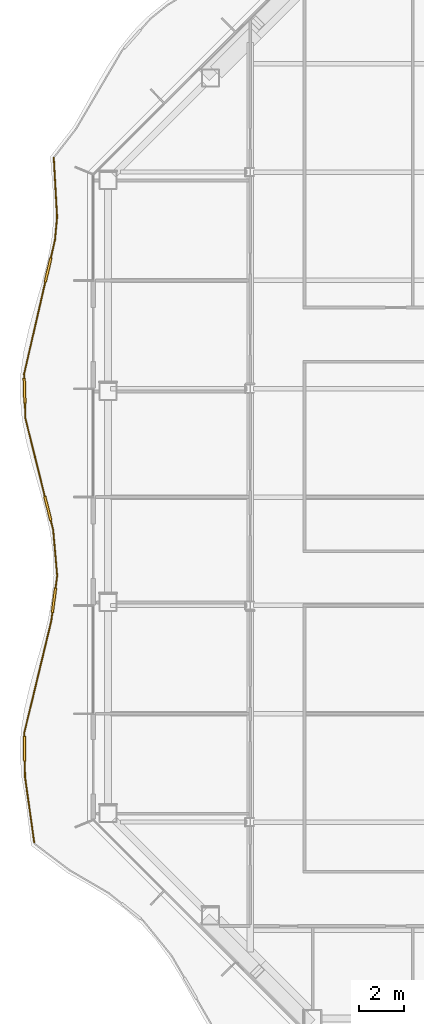
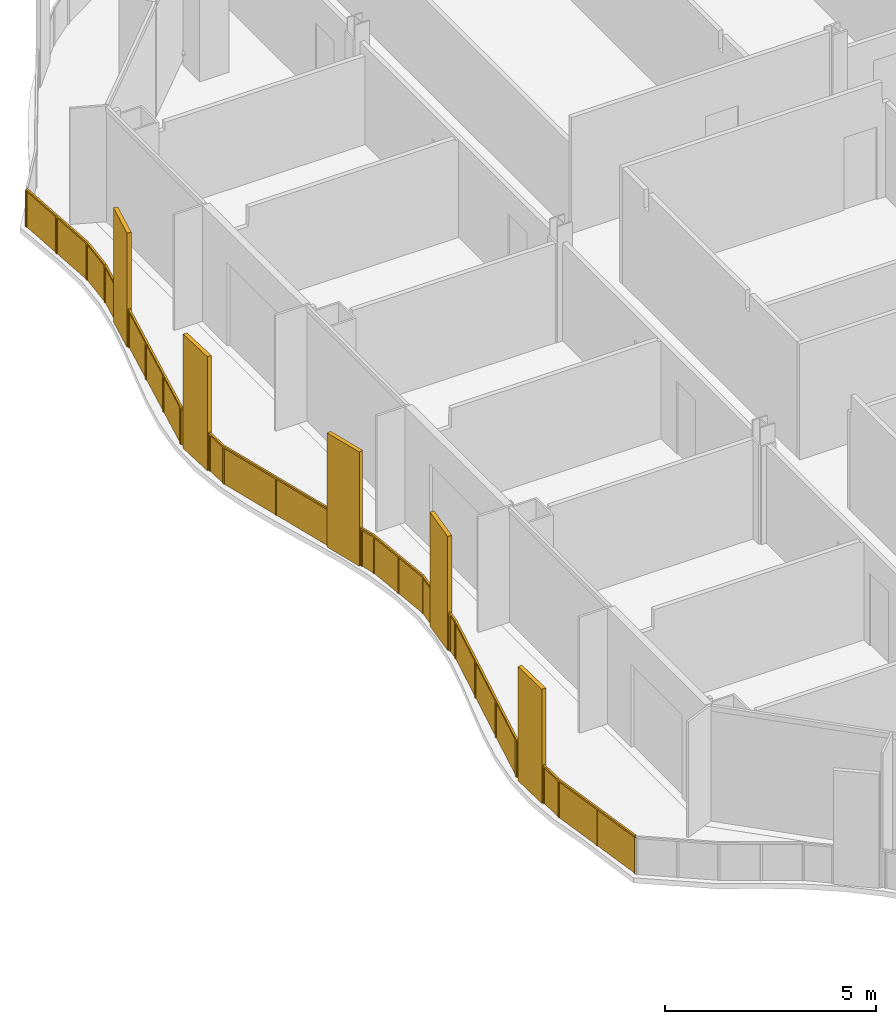
# One storey, part 17 of 23: 1 railing.
"""IFC4 building model written with IfcOpenShell, lengths in metres."""

from ifc_helpers import new_model, si_unit, direction, frame, origin, origin_2d, place, context, subcontext, project, spatial, polyline, rectangle, outline, extrude, material, type_object, element, save


model = new_model("IFC4")

# Units and contexts
model_context = context("Model", 3, precision=1e-05, world=origin(), true_north=direction((0.0, 1.0)))
body_context = subcontext(model_context, "Body", "Model", "MODEL_VIEW")
ifc_project = project(units=[si_unit("LENGTHUNIT", "METRE"), si_unit("AREAUNIT", "SQUARE_METRE"), si_unit("VOLUMEUNIT", "CUBIC_METRE"), si_unit("PLANEANGLEUNIT", "RADIAN"), si_unit("MASSUNIT", "GRAM", prefix="KILO")], contexts=[model_context])

# Site, building, storey
site_placement = place(None, origin())
site = spatial("IfcSite", under=ifc_project, at=site_placement, CompositionType="ELEMENT")
building_placement = place(site_placement, origin())
building = spatial("IfcBuilding", under=site, at=building_placement, Name="Cairn Pilgrim Tower", CompositionType="ELEMENT")
storey_placement = place(building_placement, frame((0.0, 0.0, 115.800048828125)))
storey = spatial("IfcBuildingStorey", under=building, at=storey_placement, Name="L28", CompositionType="ELEMENT", Elevation=115.800048828125)

# Railing
ifc_material = material(Name="Bronze anodised aluminium rail, posts and fin screens with laminated glass infill", Category="aluminium")
railing_type = type_object("IfcRailingType", Name="BALCONY GUARD WITH FIN SCREENS", PredefinedType="GUARDRAIL", material=ifc_material)
railing_placement = place(storey_placement, frame((-23.102783203125, 19.83837890625, 0.0)))
element("IfcRailing", 1, at=railing_placement, inside=storey, type_object=railing_type, Name="Balcony guard BGF-7 with fin screens", PredefinedType="GUARDRAIL", context=body_context, shape_type="SweptSolid", body=[
    extrude(rectangle(XDim=0.050048828125, YDim=0.050048828125, at=origin_2d()), frame((0.0, 0.0, 1.0751953125), z_axis=(0.056040406558, -0.998428501613, 0.0), x_axis=(0.998428501613, 0.056040406558, 0.0)), (0.0, 0.0, 1.0), 2.63134765625),
    extrude(rectangle(XDim=0.050048828125, YDim=0.050048828125, at=origin_2d()), frame((0.1474609375, -2.627197265625, 1.0751953125), z_axis=(-0.091313658456, -0.995822180803, 0.0), x_axis=(0.995822180803, -0.091313658456, 0.0)), (0.0, 0.0, 1.0), 1.0185546875),
    extrude(rectangle(XDim=1.10009765625, YDim=0.110107421875, at=origin_2d()), frame((-0.2529296875, -4.9765625, 0.0), z_axis=(0.0, 0.0, 1.0), x_axis=(-0.224447709134, -0.97448613426, 0.0)), (0.0, 0.0, 1.0), 3.300048828125),
    extrude(rectangle(XDim=0.050048828125, YDim=0.050048828125, at=origin_2d()), frame((0.054443359375, -3.6416015625, 1.0751953125), z_axis=(-0.224447709134, -0.97448613426, 0.0), x_axis=(0.97448613426, -0.224447709134, 0.0)), (0.0, 0.0, 1.0), 0.81982421875),
    extrude(rectangle(XDim=0.050048828125, YDim=0.050048828125, at=origin_2d()), frame((-0.37646484375, -5.512451171875, 1.0751953125), z_axis=(-0.224447709134, -0.97448613426, 0.0), x_axis=(0.97448613426, -0.224447709134, 0.0)), (0.0, 0.0, 1.0), 4.185791015625),
    extrude(rectangle(XDim=1.10009765625, YDim=0.110107421875, at=origin_2d()), frame((-1.29443359375, -10.32763671875, 0.0), z_axis=(0.0, 0.0, 1.0), x_axis=(0.029274056693, -0.999571422963, 0.0)), (0.0, 0.0, 1.0), 3.300048828125),
    extrude(rectangle(XDim=0.050048828125, YDim=0.050048828125, at=origin_2d()), frame((-1.31591796875, -9.59130859375, 1.0751953125), z_axis=(0.029274056693, -0.999571422963, 0.0), x_axis=(0.999571422963, 0.029274056693, 0.0)), (0.0, 0.0, 1.0), 0.1865234375),
    extrude(rectangle(XDim=0.050048828125, YDim=0.050048828125, at=origin_2d()), frame((-1.2783203125, -10.87744140625, 1.0751953125), z_axis=(0.029274056693, -0.999571422963, 0.0), x_axis=(0.999571422963, 0.029274056693, 0.0)), (0.0, 0.0, 1.0), 0.664794921875),
    extrude(rectangle(XDim=1.10009765625, YDim=0.110107421875, at=origin_2d()), frame((-0.264404296875, -15.5400390625, 0.0), z_axis=(0.0, 0.0, 1.0), x_axis=(0.241355607286, -0.970436742313, 0.0)), (0.0, 0.0, 1.0), 3.300048828125),
    extrude(rectangle(XDim=0.050048828125, YDim=0.050048828125, at=origin_2d()), frame((-1.2587890625, -11.5419921875, 1.0751953125), z_axis=(0.241355607286, -0.970436742313, 0.0), x_axis=(0.970436742313, 0.241355607286, 0.0)), (0.0, 0.0, 1.0), 3.56982421875),
    extrude(rectangle(XDim=0.050048828125, YDim=0.050048828125, at=origin_2d()), frame((-0.131591796875, -16.07373046875, 1.0751953125), z_axis=(0.241355607286, -0.970436742313, 0.0), x_axis=(0.970436742313, 0.241355607286, 0.0)), (0.0, 0.0, 1.0), 0.442626953125),
    extrude(rectangle(XDim=0.050048828125, YDim=0.050048828125, at=origin_2d()), frame((-0.02490234375, -16.503173828125, 1.0751953125), z_axis=(0.087062094713, -0.996202886798, 0.0), x_axis=(0.996202886798, 0.087062094713, 0.0)), (0.0, 0.0, 1.0), 2.021728515625),
    extrude(rectangle(XDim=1.10009765625, YDim=0.110107421875, at=origin_2d()), frame((0.0087890625, -19.611328125, 0.0), z_axis=(0.0, 0.0, 1.0), x_axis=(-0.12908693107, -0.991633281121, 0.0)), (0.0, 0.0, 1.0), 3.300048828125),
    extrude(rectangle(XDim=0.050048828125, YDim=0.050048828125, at=origin_2d()), frame((0.151123046875, -18.517333984375, 1.0751953125), z_axis=(-0.12908693107, -0.991633281121, 0.0), x_axis=(0.991633281121, -0.12908693107, 0.0)), (0.0, 0.0, 1.0), 0.55322265625),
    extrude(rectangle(XDim=0.050048828125, YDim=0.050048828125, at=origin_2d()), frame((-0.062255859375, -20.15673828125, 1.0751953125), z_axis=(-0.12908693107, -0.991633281121, 0.0), x_axis=(0.991633281121, -0.12908693107, 0.0)), (0.0, 0.0, 1.0), 0.374267578125),
    extrude(rectangle(XDim=0.050048828125, YDim=0.050048828125, at=origin_2d()), frame((-0.110595703125, -20.52783203125, 1.0751953125), z_axis=(-0.234559373784, -0.972101795169, 0.0), x_axis=(0.972101795169, -0.234559373784, 0.0)), (0.0, 0.0, 1.0), 5.096923828125),
    extrude(rectangle(XDim=1.10009765625, YDim=0.110107421875, at=origin_2d()), frame((-1.29443359375, -26.182373046875, 0.0), z_axis=(0.0, 0.0, 1.0), x_axis=(0.01683263167, -0.999858321219, 0.0)), (0.0, 0.0, 1.0), 3.300048828125),
    extrude(rectangle(XDim=0.050048828125, YDim=0.050048828125, at=origin_2d()), frame((-1.30615234375, -25.482666015625, 1.0751953125), z_axis=(0.01683263167, -0.999858321219, 0.0), x_axis=(0.999858321219, 0.01683263167, 0.0)), (0.0, 0.0, 1.0), 0.14990234375),
    extrude(rectangle(XDim=0.050048828125, YDim=0.050048828125, at=origin_2d()), frame((-1.28515625, -26.732421875, 1.0751953125), z_axis=(0.01683263167, -0.999858321219, 0.0), x_axis=(0.999858321219, 0.01683263167, 0.0)), (0.0, 0.0, 1.0), 0.708251953125),
    extrude(rectangle(XDim=0.050048828125, YDim=0.050048828125, at=origin_2d()), frame((-1.273193359375, -27.4404296875, 1.0751953125), z_axis=(0.139010200771, -0.990290949207, 0.0), x_axis=(0.990290949207, 0.139010200771, 0.0)), (0.0, 0.0, 1.0), 2.920654296875),
    extrude(rectangle(XDim=0.050048828125, YDim=0.050048828125, at=origin_2d()), origin(), (0.0, 0.0, 1.0), 1.050048828125),
    extrude(rectangle(XDim=0.050048828125, YDim=0.050048828125, at=origin_2d()), frame((0.07373046875, -1.3134765625, 0.0)), (0.0, 0.0, 1.0), 1.050048828125),
    extrude(rectangle(XDim=0.050048828125, YDim=0.050048828125, at=origin_2d()), frame((0.1474609375, -2.627197265625, 0.0)), (0.0, 0.0, 1.0), 1.050048828125),
    extrude(rectangle(XDim=0.050048828125, YDim=0.050048828125, at=origin_2d()), frame((0.054443359375, -3.6416015625, 0.0)), (0.0, 0.0, 1.0), 1.050048828125),
    extrude(rectangle(XDim=0.050048828125, YDim=0.050048828125, at=origin_2d()), frame((-0.1240234375, -4.416015625, 0.0)), (0.0, 0.0, 1.0), 1.050048828125),
    extrude(rectangle(XDim=0.050048828125, YDim=0.050048828125, at=origin_2d()), frame((-0.382080078125, -5.536865234375, 0.0)), (0.0, 0.0, 1.0), 1.050048828125),
    extrude(rectangle(XDim=0.050048828125, YDim=0.050048828125, at=origin_2d()), frame((-0.693359375, -6.888427734375, 0.0)), (0.0, 0.0, 1.0), 1.050048828125),
    extrude(rectangle(XDim=0.050048828125, YDim=0.050048828125, at=origin_2d()), frame((-1.004638671875, -8.23974609375, 0.0)), (0.0, 0.0, 1.0), 1.050048828125),
    extrude(rectangle(XDim=0.050048828125, YDim=0.050048828125, at=origin_2d()), frame((-1.31591796875, -9.59130859375, 0.0)), (0.0, 0.0, 1.0), 1.050048828125),
    extrude(rectangle(XDim=0.050048828125, YDim=0.050048828125, at=origin_2d()), frame((-1.311279296875, -9.7529296875, 0.0)), (0.0, 0.0, 1.0), 1.050048828125),
    extrude(rectangle(XDim=0.050048828125, YDim=0.050048828125, at=origin_2d()), frame((-1.277587890625, -10.90234375, 0.0)), (0.0, 0.0, 1.0), 1.050048828125),
    extrude(rectangle(XDim=0.050048828125, YDim=0.050048828125, at=origin_2d()), frame((-1.2587890625, -11.5419921875, 0.0)), (0.0, 0.0, 1.0), 1.050048828125),
    extrude(rectangle(XDim=0.050048828125, YDim=0.050048828125, at=origin_2d()), frame((-0.8310546875, -13.261962890625, 0.0)), (0.0, 0.0, 1.0), 1.050048828125),
    extrude(rectangle(XDim=0.050048828125, YDim=0.050048828125, at=origin_2d()), frame((-0.4033203125, -14.98193359375, 0.0)), (0.0, 0.0, 1.0), 1.050048828125),
    extrude(rectangle(XDim=0.050048828125, YDim=0.050048828125, at=origin_2d()), frame((-0.125732421875, -16.09814453125, 0.0)), (0.0, 0.0, 1.0), 1.050048828125),
    extrude(rectangle(XDim=0.050048828125, YDim=0.050048828125, at=origin_2d()), frame((-0.02490234375, -16.503173828125, 0.0)), (0.0, 0.0, 1.0), 1.050048828125),
    extrude(rectangle(XDim=0.050048828125, YDim=0.050048828125, at=origin_2d()), frame((0.06298828125, -17.51025390625, 0.0)), (0.0, 0.0, 1.0), 1.050048828125),
    extrude(rectangle(XDim=0.050048828125, YDim=0.050048828125, at=origin_2d()), frame((0.151123046875, -18.517333984375, 0.0)), (0.0, 0.0, 1.0), 1.050048828125),
    extrude(rectangle(XDim=0.050048828125, YDim=0.050048828125, at=origin_2d()), frame((0.0830078125, -19.041259765625, 0.0)), (0.0, 0.0, 1.0), 1.050048828125),
    extrude(rectangle(XDim=0.050048828125, YDim=0.050048828125, at=origin_2d()), frame((-0.0654296875, -20.181640625, 0.0)), (0.0, 0.0, 1.0), 1.050048828125),
    extrude(rectangle(XDim=0.050048828125, YDim=0.050048828125, at=origin_2d()), frame((-0.110595703125, -20.52783203125, 0.0)), (0.0, 0.0, 1.0), 1.050048828125),
    extrude(rectangle(XDim=0.050048828125, YDim=0.050048828125, at=origin_2d()), frame((-0.509033203125, -22.179443359375, 0.0)), (0.0, 0.0, 1.0), 1.050048828125),
    extrude(rectangle(XDim=0.050048828125, YDim=0.050048828125, at=origin_2d()), frame((-0.90771484375, -23.8310546875, 0.0)), (0.0, 0.0, 1.0), 1.050048828125),
    extrude(rectangle(XDim=0.050048828125, YDim=0.050048828125, at=origin_2d()), frame((-1.30615234375, -25.482666015625, 0.0)), (0.0, 0.0, 1.0), 1.050048828125),
    extrude(rectangle(XDim=0.050048828125, YDim=0.050048828125, at=origin_2d()), frame((-1.303955078125, -25.607421875, 0.0)), (0.0, 0.0, 1.0), 1.050048828125),
    extrude(rectangle(XDim=0.050048828125, YDim=0.050048828125, at=origin_2d()), frame((-1.28466796875, -26.75732421875, 0.0)), (0.0, 0.0, 1.0), 1.050048828125),
    extrude(rectangle(XDim=0.050048828125, YDim=0.050048828125, at=origin_2d()), frame((-1.273193359375, -27.4404296875, 0.0)), (0.0, 0.0, 1.0), 1.050048828125),
    extrude(rectangle(XDim=0.050048828125, YDim=0.050048828125, at=origin_2d()), frame((-1.0703125, -28.88671875, 0.0)), (0.0, 0.0, 1.0), 1.050048828125),
    extrude(rectangle(XDim=0.050048828125, YDim=0.050048828125, at=origin_2d()), frame((-0.8671875, -30.332763671875, 0.0)), (0.0, 0.0, 1.0), 1.050048828125),
    extrude(outline(polyline([(0.02490234375, 0.0), (1.29052734375, 0.0), (1.29052734375, 1.050048828125), (0.02490234375, 1.050048828125), (0.02490234375, 0.0)])), frame((0.005859375, 0.000244140625, 0.0), z_axis=(-0.998428501613, -0.056040406558, 0.0), x_axis=(0.056040406558, -0.998428501613, 0.0)), (0.0, 0.0, 1.0), 0.011962890625),
    extrude(outline(polyline([(0.02490234375, 0.0), (1.29052734375, 0.0), (1.29052734375, 1.050048828125), (0.02490234375, 1.050048828125), (0.02490234375, 0.0)])), frame((0.07958984375, -1.313232421875, 0.0), z_axis=(-0.998428501613, -0.056040406558, 0.0), x_axis=(0.056040406558, -0.998428501613, 0.0)), (0.0, 0.0, 1.0), 0.011962890625),
    extrude(outline(polyline([(0.02490234375, 0.0), (0.99365234375, 0.0), (0.99365234375, 1.050048828125), (0.02490234375, 1.050048828125), (0.02490234375, 0.0)])), frame((0.1533203125, -2.627685546875, 0.0), z_axis=(-0.995822180803, 0.091313658456, 0.0), x_axis=(-0.091313658456, -0.995822180803, 0.0)), (0.0, 0.0, 1.0), 0.011962890625),
    extrude(outline(polyline([(0.02490234375, 0.0), (0.769775390625, 0.0), (0.769775390625, 1.050048828125), (0.02490234375, 1.050048828125), (0.02490234375, 0.0)])), frame((0.060302734375, -3.642822265625, 0.0), z_axis=(-0.97448613426, 0.224447709134, 0.0), x_axis=(-0.224447709134, -0.97448613426, 0.0)), (0.0, 0.0, 1.0), 0.011962890625),
    extrude(outline(polyline([(0.02490234375, 0.0), (1.36181640625, 0.0), (1.36181640625, 1.050048828125), (0.02490234375, 1.050048828125), (0.02490234375, 0.0)])), frame((-0.376220703125, -5.5380859375, 0.0), z_axis=(-0.97448613426, 0.224447709134, 0.0), x_axis=(-0.224447709134, -0.97448613426, 0.0)), (0.0, 0.0, 1.0), 0.011962890625),
    extrude(outline(polyline([(0.02490234375, 0.0), (1.36181640625, 0.0), (1.36181640625, 1.050048828125), (0.02490234375, 1.050048828125), (0.02490234375, 0.0)])), frame((-0.6875, -6.8896484375, 0.0), z_axis=(-0.97448613426, 0.224447709134, 0.0), x_axis=(-0.224447709134, -0.97448613426, 0.0)), (0.0, 0.0, 1.0), 0.011962890625),
    extrude(outline(polyline([(0.02490234375, 0.0), (1.36181640625, 0.0), (1.36181640625, 1.050048828125), (0.02490234375, 1.050048828125), (0.02490234375, 0.0)])), frame((-0.998779296875, -8.2412109375, 0.0), z_axis=(-0.97448613426, 0.224447709134, 0.0), x_axis=(-0.224447709134, -0.97448613426, 0.0)), (0.0, 0.0, 1.0), 0.011962890625),
    extrude(outline(polyline([(0.02490234375, 0.0), (0.136474609375, 0.0), (0.136474609375, 1.050048828125), (0.02490234375, 1.050048828125), (0.02490234375, 0.0)])), frame((-1.31005859375, -9.591064453125, 0.0), z_axis=(-0.999571422963, -0.029274056693, 0.0), x_axis=(0.029274056693, -0.999571422963, 0.0)), (0.0, 0.0, 1.0), 0.011962890625),
    extrude(outline(polyline([(0.02490234375, 0.0), (0.61474609375, 0.0), (0.61474609375, 1.050048828125), (0.02490234375, 1.050048828125), (0.02490234375, 0.0)])), frame((-1.271484375, -10.90234375, 0.0), z_axis=(-0.999571422963, -0.029274056693, 0.0), x_axis=(0.029274056693, -0.999571422963, 0.0)), (0.0, 0.0, 1.0), 0.011962890625),
    extrude(outline(polyline([(0.02490234375, 0.0), (1.747314453125, 0.0), (1.747314453125, 1.050048828125), (0.02490234375, 1.050048828125), (0.02490234375, 0.0)])), frame((-1.2529296875, -11.54052734375, 0.0), z_axis=(-0.970436742313, -0.241355607286, 0.0), x_axis=(0.241355607286, -0.970436742313, 0.0)), (0.0, 0.0, 1.0), 0.011962890625),
    extrude(outline(polyline([(0.02490234375, 0.0), (1.747314453125, 0.0), (1.747314453125, 1.050048828125), (0.02490234375, 1.050048828125), (0.02490234375, 0.0)])), frame((-0.8251953125, -13.260498046875, 0.0), z_axis=(-0.970436742313, -0.241355607286, 0.0), x_axis=(0.241355607286, -0.970436742313, 0.0)), (0.0, 0.0, 1.0), 0.011962890625),
    extrude(outline(polyline([(0.02490234375, 0.0), (0.392578125, 0.0), (0.392578125, 1.050048828125), (0.02490234375, 1.050048828125), (0.02490234375, 0.0)])), frame((-0.119873046875, -16.0966796875, 0.0), z_axis=(-0.970436742313, -0.241355607286, 0.0), x_axis=(0.241355607286, -0.970436742313, 0.0)), (0.0, 0.0, 1.0), 0.011962890625),
    extrude(outline(polyline([(0.02490234375, 0.0), (0.98583984375, 0.0), (0.98583984375, 1.050048828125), (0.02490234375, 1.050048828125), (0.02490234375, 0.0)])), frame((-0.01904296875, -16.502685546875, 0.0), z_axis=(-0.996202886798, -0.087062094713, 0.0), x_axis=(0.087062094713, -0.996202886798, 0.0)), (0.0, 0.0, 1.0), 0.011962890625),
    extrude(outline(polyline([(0.02490234375, 0.0), (0.98583984375, 0.0), (0.98583984375, 1.050048828125), (0.02490234375, 1.050048828125), (0.02490234375, 0.0)])), frame((0.069091796875, -17.509765625, 0.0), z_axis=(-0.996202886798, -0.087062094713, 0.0), x_axis=(0.087062094713, -0.996202886798, 0.0)), (0.0, 0.0, 1.0), 0.011962890625),
    extrude(outline(polyline([(0.02490234375, 0.0), (0.503173828125, 0.0), (0.503173828125, 1.050048828125), (0.02490234375, 1.050048828125), (0.02490234375, 0.0)])), frame((0.156982421875, -18.51806640625, 0.0), z_axis=(-0.991633281121, 0.12908693107, 0.0), x_axis=(-0.12908693107, -0.991633281121, 0.0)), (0.0, 0.0, 1.0), 0.011962890625),
    extrude(outline(polyline([(0.02490234375, 0.0), (0.32421875, 0.0), (0.32421875, 1.050048828125), (0.02490234375, 1.050048828125), (0.02490234375, 0.0)])), frame((-0.0595703125, -20.182373046875, 0.0), z_axis=(-0.991633281121, 0.12908693107, 0.0), x_axis=(-0.12908693107, -0.991633281121, 0.0)), (0.0, 0.0, 1.0), 0.011962890625),
    extrude(outline(polyline([(0.02490234375, 0.0), (1.674072265625, 0.0), (1.674072265625, 1.050048828125), (0.02490234375, 1.050048828125), (0.02490234375, 0.0)])), frame((-0.104736328125, -20.529296875, 0.0), z_axis=(-0.972101795169, 0.234559373784, 0.0), x_axis=(-0.234559373784, -0.972101795169, 0.0)), (0.0, 0.0, 1.0), 0.011962890625),
    extrude(outline(polyline([(0.02490234375, 0.0), (1.674072265625, 0.0), (1.674072265625, 1.050048828125), (0.02490234375, 1.050048828125), (0.02490234375, 0.0)])), frame((-0.50341796875, -22.180908203125, 0.0), z_axis=(-0.972101795169, 0.234559373784, 0.0), x_axis=(-0.234559373784, -0.972101795169, 0.0)), (0.0, 0.0, 1.0), 0.011962890625),
    extrude(outline(polyline([(0.02490234375, 0.0), (1.674072265625, 0.0), (1.674072265625, 1.050048828125), (0.02490234375, 1.050048828125), (0.02490234375, 0.0)])), frame((-0.90185546875, -23.83251953125, 0.0), z_axis=(-0.972101795169, 0.234559373784, 0.0), x_axis=(-0.234559373784, -0.972101795169, 0.0)), (0.0, 0.0, 1.0), 0.011962890625),
    extrude(outline(polyline([(0.02490234375, 0.0), (0.099853515625, 0.0), (0.099853515625, 1.050048828125), (0.02490234375, 1.050048828125), (0.02490234375, 0.0)])), frame((-1.30029296875, -25.482666015625, 0.0), z_axis=(-0.999858321219, -0.01683263167, 0.0), x_axis=(0.01683263167, -0.999858321219, 0.0)), (0.0, 0.0, 1.0), 0.011962890625),
    extrude(outline(polyline([(0.02490234375, 0.0), (0.658203125, 0.0), (0.658203125, 1.050048828125), (0.02490234375, 1.050048828125), (0.02490234375, 0.0)])), frame((-1.27880859375, -26.75732421875, 0.0), z_axis=(-0.999858321219, -0.01683263167, 0.0), x_axis=(0.01683263167, -0.999858321219, 0.0)), (0.0, 0.0, 1.0), 0.011962890625),
    extrude(outline(polyline([(0.02490234375, 0.0), (1.435302734375, 0.0), (1.435302734375, 1.050048828125), (0.02490234375, 1.050048828125), (0.02490234375, 0.0)])), frame((-1.267333984375, -27.439697265625, 0.0), z_axis=(-0.990290949207, -0.139010200771, 0.0), x_axis=(0.139010200771, -0.990290949207, 0.0)), (0.0, 0.0, 1.0), 0.011962890625),
    extrude(outline(polyline([(0.02490234375, 0.0), (1.435302734375, 0.0), (1.435302734375, 1.050048828125), (0.02490234375, 1.050048828125), (0.02490234375, 0.0)])), frame((-1.064208984375, -28.8857421875, 0.0), z_axis=(-0.990290949207, -0.139010200771, 0.0), x_axis=(0.139010200771, -0.990290949207, 0.0)), (0.0, 0.0, 1.0), 0.011962890625),
])

save(model, "model.ifc")
